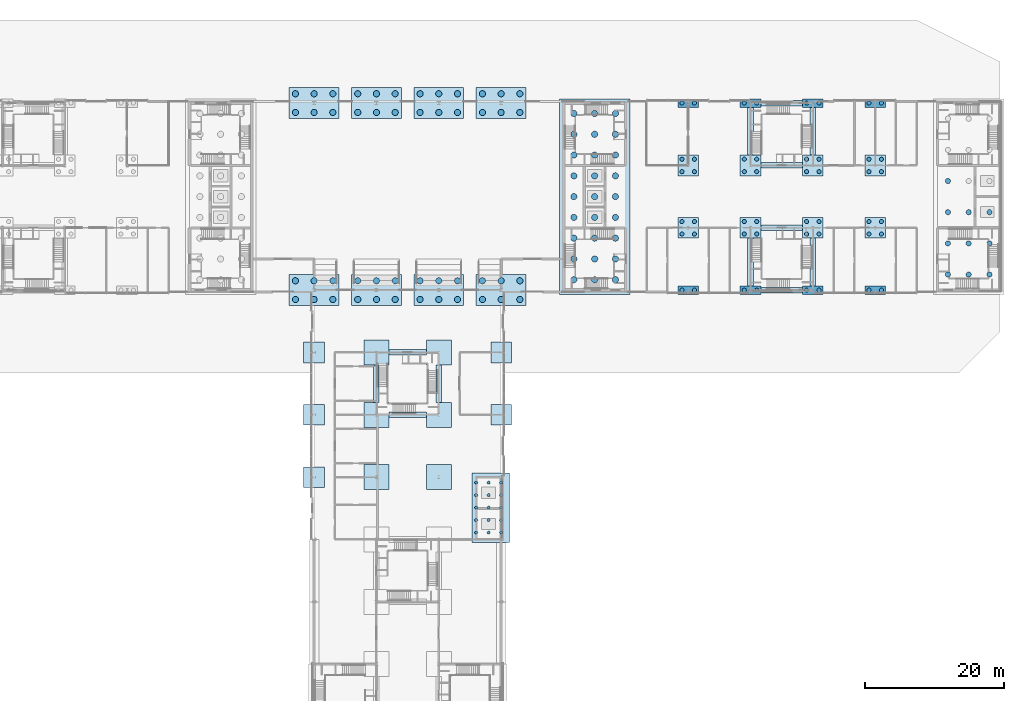
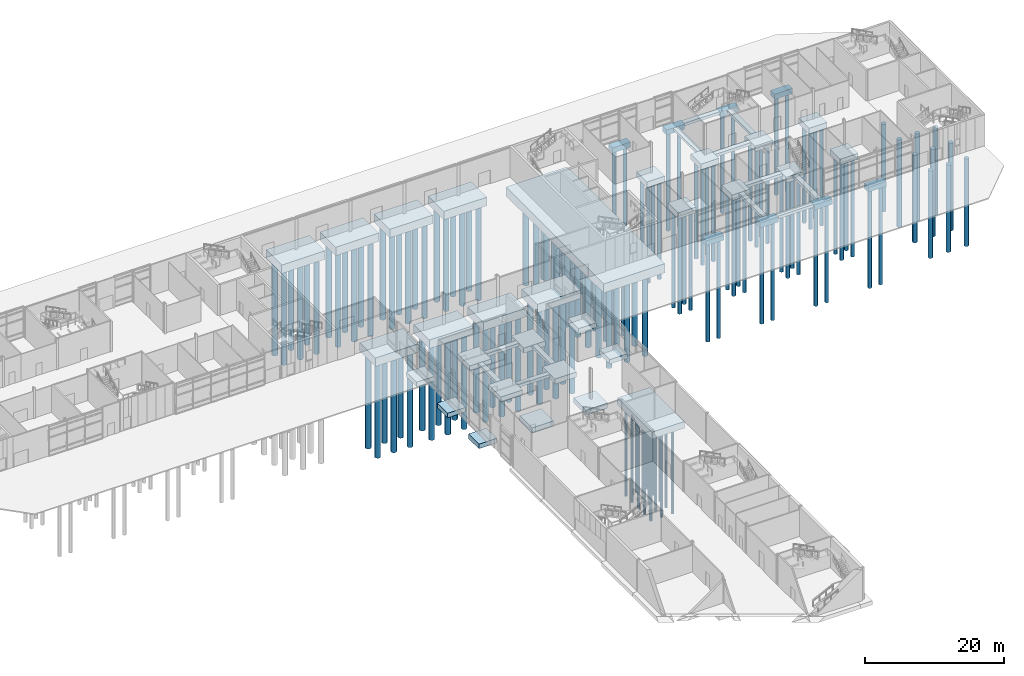
# One storey, part 2 of 45: 148 piles, 49 footings.
"""IFC4 building model written with IfcOpenShell, lengths in metres."""

from ifc_helpers import new_model, si_unit, direction, frame, origin, origin_2d, place, context, subcontext, project, spatial, rectangle, circle, extrude, material, layer, layer_set, material_profile, profile_set, type_object, element, save


model = new_model("IFC4")

# Units and contexts
model_context = context("Model", 3, precision=1e-05, world=origin(), true_north=direction((0.0, 1.0)))
body_context = subcontext(model_context, "Body", "Model", "MODEL_VIEW")
ifc_project = project(units=[si_unit("LENGTHUNIT", "METRE"), si_unit("AREAUNIT", "SQUARE_METRE"), si_unit("VOLUMEUNIT", "CUBIC_METRE"), si_unit("PLANEANGLEUNIT", "RADIAN"), si_unit("MASSUNIT", "GRAM", prefix="KILO")], contexts=[model_context])

# Site, building, storey
site_placement = place(None, origin())
site = spatial("IfcSite", under=ifc_project, at=site_placement, CompositionType="ELEMENT")
building_placement = place(site_placement, origin())
building = spatial("IfcBuilding", under=site, at=building_placement, Name="Azimuth Sports and Learning Centre", CompositionType="ELEMENT")
storey_placement = place(building_placement, origin())
storey = spatial("IfcBuildingStorey", under=building, at=storey_placement, Name="L00", CompositionType="ELEMENT", Elevation=0.0)

# Piles
ifc_material_1 = material(Name="Concrete C35/45", Category="concrete")
ifc_material_profile_1 = material_profile(ifc_material_1, circle(Radius=0.22509765625, at=origin_2d()), Name="BP 450")
ifc_profile_set_1 = profile_set([ifc_material_profile_1], Name="Concrete C35/45")
pile_type_1 = type_object("IfcPileType", Name="Bored pile BP 450", PredefinedType="BORED", material=ifc_profile_set_1)
for number, where, z_axis, x_axis, name in (
    (1, (95.39990234375, 55.0, -3.10009765625), (0.0, 0.0, -1.0), (1.0, 0.0, 0.0), "Pile RAFT-STL 1"),
    (2, (97.199951171875, 55.0, -3.10009765625), (0.0, 0.0, -1.0), (1.0, 0.0, 0.0), "Pile RAFT-STL 2"),
    (3, (99.0, 55.0, -3.10009765625), (0.0, 0.0, -1.0), (1.0, 0.0, 0.0), "Pile RAFT-STL 3"),
    (4, (95.39990234375, 56.800048828125, -3.10009765625), (0.0, 0.0, -1.0), (1.0, 0.0, 0.0), "Pile RAFT-STL 4"),
    (5, (97.199951171875, 56.800048828125, -3.10009765625), (0.0, 0.0, -1.0), (1.0, 0.0, 0.0), "Pile RAFT-STL 5"),
    (6, (99.0, 56.800048828125, -3.10009765625), (0.0, 0.0, -1.0), (1.0, 0.0, 0.0), "Pile RAFT-STL 6"),
    (7, (95.39990234375, 58.60009765625, -3.10009765625), (0.0, 0.0, -1.0), (1.0, 0.0, 0.0), "Pile RAFT-STL 7"),
    (8, (97.199951171875, 58.60009765625, -3.10009765625), (0.0, 0.0, -1.0), (1.0, 0.0, 0.0), "Pile RAFT-STL 8"),
    (9, (99.0, 58.60009765625, -3.10009765625), (0.0, 0.0, -1.0), (1.0, 0.0, 0.0), "Pile RAFT-STL 9"),
    (10, (95.39990234375, 60.39990234375, -3.10009765625), (0.0, 0.0, -1.0), (1.0, 0.0, 0.0), "Pile RAFT-STL 10"),
    (11, (97.199951171875, 60.39990234375, -3.10009765625), (0.0, 0.0, -1.0), (1.0, 0.0, 0.0), "Pile RAFT-STL 11"),
    (12, (99.0, 60.39990234375, -3.10009765625), (0.0, 0.0, -1.0), (1.0, 0.0, 0.0), "Pile RAFT-STL 12"),
    (13, (95.39990234375, 62.199951171875, -3.10009765625), (0.0, 0.0, -1.0), (1.0, 0.0, 0.0), "Pile RAFT-STL 13"),
    (14, (97.199951171875, 62.199951171875, -3.10009765625), (0.0, 0.0, -1.0), (1.0, 0.0, 0.0), "Pile RAFT-STL 14"),
    (15, (99.0, 62.199951171875, -3.10009765625), (0.0, 0.0, -1.0), (1.0, 0.0, 0.0), "Pile RAFT-STL 15"),
):
    element("IfcPile", number, at=place(storey_placement, frame(where, z_axis=z_axis, x_axis=x_axis)), inside=storey, type_object=pile_type_1, Name=name, PredefinedType="BORED", context=body_context, shape_type="SweptSolid", body=[
        extrude(circle(Radius=0.22509765625, at=origin_2d()), origin(), (0.0, 0.0, 1.0), 15.39990234375),
    ])
ifc_material_2 = material(Name="Concrete C35/45", Category="concrete")
ifc_material_profile_2 = material_profile(ifc_material_2, circle(Radius=0.300048828125, at=origin_2d()), Name="BP 600")
ifc_profile_set_2 = profile_set([ifc_material_profile_2], Name="Concrete C35/45")
pile_type_2 = type_object("IfcPileType", Name="Bored pile BP 600", PredefinedType="BORED", material=ifc_profile_set_2)
for number, where, z_axis, x_axis, name in (
    (16, (125.10009765625, 90.0, -1.199951171875), (0.0, 0.0, -1.0), (1.0, 0.0, 0.0), "Pile CAP-15L 1"),
    (17, (126.89990234375, 90.0, -1.199951171875), (0.0, 0.0, -1.0), (1.0, 0.0, 0.0), "Pile CAP-15L 2"),
    (18, (134.10009765625, 90.0, -1.199951171875), (0.0, 0.0, -1.0), (1.0, 0.0, 0.0), "Pile CAP-16L 1"),
    (19, (135.89990234375, 90.0, -1.199951171875), (0.0, 0.0, -1.0), (1.0, 0.0, 0.0), "Pile CAP-16L 2"),
    (20, (143.10009765625, 90.0, -1.199951171875), (0.0, 0.0, -1.0), (1.0, 0.0, 0.0), "Pile CAP-17L 1"),
    (21, (144.89990234375, 90.0, -1.199951171875), (0.0, 0.0, -1.0), (1.0, 0.0, 0.0), "Pile CAP-17L 2"),
    (22, (152.10009765625, 90.0, -1.199951171875), (0.0, 0.0, -1.0), (1.0, 0.0, 0.0), "Pile CAP-18L 1"),
    (23, (153.89990234375, 90.0, -1.199951171875), (0.0, 0.0, -1.0), (1.0, 0.0, 0.0), "Pile CAP-18L 2"),
):
    element("IfcPile", number, at=place(storey_placement, frame(where, z_axis=z_axis, x_axis=x_axis)), inside=storey, type_object=pile_type_2, Name=name, PredefinedType="BORED", context=body_context, shape_type="SweptSolid", body=[
        extrude(circle(Radius=0.300048828125, at=origin_2d()), origin(), (0.0, 0.0, 1.0), 17.300048828125),
    ])
for number, where, z_axis, x_axis, name in (
    (24, (125.10009765625, 98.10009765625, -1.300048828125), (0.0, 0.0, -1.0), (1.0, 0.0, 0.0), "Pile CAP-15M 1"),
    (25, (126.89990234375, 98.10009765625, -1.300048828125), (0.0, 0.0, -1.0), (1.0, 0.0, 0.0), "Pile CAP-15M 2"),
    (26, (125.10009765625, 99.89990234375, -1.300048828125), (0.0, 0.0, -1.0), (1.0, 0.0, 0.0), "Pile CAP-15M 3"),
    (27, (126.89990234375, 99.89990234375, -1.300048828125), (0.0, 0.0, -1.0), (1.0, 0.0, 0.0), "Pile CAP-15M 4"),
    (28, (134.10009765625, 98.10009765625, -1.300048828125), (0.0, 0.0, -1.0), (1.0, 0.0, 0.0), "Pile CAP-16M 1"),
    (29, (135.89990234375, 98.10009765625, -1.300048828125), (0.0, 0.0, -1.0), (1.0, 0.0, 0.0), "Pile CAP-16M 2"),
    (30, (134.10009765625, 99.89990234375, -1.300048828125), (0.0, 0.0, -1.0), (1.0, 0.0, 0.0), "Pile CAP-16M 3"),
    (31, (135.89990234375, 99.89990234375, -1.300048828125), (0.0, 0.0, -1.0), (1.0, 0.0, 0.0), "Pile CAP-16M 4"),
    (32, (143.10009765625, 98.10009765625, -1.300048828125), (0.0, 0.0, -1.0), (1.0, 0.0, 0.0), "Pile CAP-17M 1"),
    (33, (144.89990234375, 98.10009765625, -1.300048828125), (0.0, 0.0, -1.0), (1.0, 0.0, 0.0), "Pile CAP-17M 2"),
    (34, (143.10009765625, 99.89990234375, -1.300048828125), (0.0, 0.0, -1.0), (1.0, 0.0, 0.0), "Pile CAP-17M 3"),
    (35, (144.89990234375, 99.89990234375, -1.300048828125), (0.0, 0.0, -1.0), (1.0, 0.0, 0.0), "Pile CAP-17M 4"),
    (36, (152.10009765625, 98.10009765625, -1.300048828125), (0.0, 0.0, -1.0), (1.0, 0.0, 0.0), "Pile CAP-18M 1"),
    (37, (153.89990234375, 98.10009765625, -1.300048828125), (0.0, 0.0, -1.0), (1.0, 0.0, 0.0), "Pile CAP-18M 2"),
    (38, (152.10009765625, 99.89990234375, -1.300048828125), (0.0, 0.0, -1.0), (1.0, 0.0, 0.0), "Pile CAP-18M 3"),
    (39, (153.89990234375, 99.89990234375, -1.300048828125), (0.0, 0.0, -1.0), (1.0, 0.0, 0.0), "Pile CAP-18M 4"),
    (40, (125.10009765625, 107.10009765625, -1.300048828125), (0.0, 0.0, -1.0), (1.0, 0.0, 0.0), "Pile CAP-15N 1"),
    (41, (126.89990234375, 107.10009765625, -1.300048828125), (0.0, 0.0, -1.0), (1.0, 0.0, 0.0), "Pile CAP-15N 2"),
    (42, (125.10009765625, 108.89990234375, -1.300048828125), (0.0, 0.0, -1.0), (1.0, 0.0, 0.0), "Pile CAP-15N 3"),
    (43, (126.89990234375, 108.89990234375, -1.300048828125), (0.0, 0.0, -1.0), (1.0, 0.0, 0.0), "Pile CAP-15N 4"),
    (44, (134.10009765625, 107.10009765625, -1.300048828125), (0.0, 0.0, -1.0), (1.0, 0.0, 0.0), "Pile CAP-16N 1"),
    (45, (135.89990234375, 107.10009765625, -1.300048828125), (0.0, 0.0, -1.0), (1.0, 0.0, 0.0), "Pile CAP-16N 2"),
    (46, (134.10009765625, 108.89990234375, -1.300048828125), (0.0, 0.0, -1.0), (1.0, 0.0, 0.0), "Pile CAP-16N 3"),
    (47, (135.89990234375, 108.89990234375, -1.300048828125), (0.0, 0.0, -1.0), (1.0, 0.0, 0.0), "Pile CAP-16N 4"),
    (48, (143.10009765625, 107.10009765625, -1.300048828125), (0.0, 0.0, -1.0), (1.0, 0.0, 0.0), "Pile CAP-17N 1"),
    (49, (144.89990234375, 107.10009765625, -1.300048828125), (0.0, 0.0, -1.0), (1.0, 0.0, 0.0), "Pile CAP-17N 2"),
    (50, (143.10009765625, 108.89990234375, -1.300048828125), (0.0, 0.0, -1.0), (1.0, 0.0, 0.0), "Pile CAP-17N 3"),
    (51, (144.89990234375, 108.89990234375, -1.300048828125), (0.0, 0.0, -1.0), (1.0, 0.0, 0.0), "Pile CAP-17N 4"),
    (52, (152.10009765625, 107.10009765625, -1.300048828125), (0.0, 0.0, -1.0), (1.0, 0.0, 0.0), "Pile CAP-18N 1"),
    (53, (153.89990234375, 107.10009765625, -1.300048828125), (0.0, 0.0, -1.0), (1.0, 0.0, 0.0), "Pile CAP-18N 2"),
    (54, (152.10009765625, 108.89990234375, -1.300048828125), (0.0, 0.0, -1.0), (1.0, 0.0, 0.0), "Pile CAP-18N 3"),
    (55, (153.89990234375, 108.89990234375, -1.300048828125), (0.0, 0.0, -1.0), (1.0, 0.0, 0.0), "Pile CAP-18N 4"),
):
    element("IfcPile", number, at=place(storey_placement, frame(where, z_axis=z_axis, x_axis=x_axis)), inside=storey, type_object=pile_type_2, Name=name, PredefinedType="BORED", context=body_context, shape_type="SweptSolid", body=[
        extrude(circle(Radius=0.300048828125, at=origin_2d()), origin(), (0.0, 0.0, 1.0), 17.199951171875),
    ])
for number, where, z_axis, x_axis, name in (
    (56, (125.10009765625, 117.0, -1.199951171875), (0.0, 0.0, -1.0), (1.0, 0.0, 0.0), "Pile CAP-15P 1"),
    (57, (126.89990234375, 117.0, -1.199951171875), (0.0, 0.0, -1.0), (1.0, 0.0, 0.0), "Pile CAP-15P 2"),
    (58, (134.10009765625, 117.0, -1.199951171875), (0.0, 0.0, -1.0), (1.0, 0.0, 0.0), "Pile CAP-16P 1"),
    (59, (135.89990234375, 117.0, -1.199951171875), (0.0, 0.0, -1.0), (1.0, 0.0, 0.0), "Pile CAP-16P 2"),
    (60, (143.10009765625, 117.0, -1.199951171875), (0.0, 0.0, -1.0), (1.0, 0.0, 0.0), "Pile CAP-17P 1"),
    (61, (144.89990234375, 117.0, -1.199951171875), (0.0, 0.0, -1.0), (1.0, 0.0, 0.0), "Pile CAP-17P 2"),
    (62, (152.10009765625, 117.0, -1.199951171875), (0.0, 0.0, -1.0), (1.0, 0.0, 0.0), "Pile CAP-18P 1"),
    (63, (153.89990234375, 117.0, -1.199951171875), (0.0, 0.0, -1.0), (1.0, 0.0, 0.0), "Pile CAP-18P 2"),
):
    element("IfcPile", number, at=place(storey_placement, frame(where, z_axis=z_axis, x_axis=x_axis)), inside=storey, type_object=pile_type_2, Name=name, PredefinedType="BORED", context=body_context, shape_type="SweptSolid", body=[
        extrude(circle(Radius=0.300048828125, at=origin_2d()), origin(), (0.0, 0.0, 1.0), 17.300048828125),
    ])
ifc_material_3 = material(Name="Concrete C35/45", Category="concrete")
ifc_material_profile_3 = material_profile(ifc_material_3, circle(Radius=0.375, at=origin_2d()), Name="BP 750")
ifc_profile_set_3 = profile_set([ifc_material_profile_3], Name="Concrete C35/45")
pile_type_3 = type_object("IfcPileType", Name="Bored pile BP 750", PredefinedType="BORED", material=ifc_profile_set_3)
for number, where, z_axis, x_axis, name in (
    (64, (163.5, 92.25, -3.10009765625), (0.0, 0.0, -1.0), (1.0, 0.0, 0.0), "Pile RAFT-EW 1"),
    (65, (166.5, 92.25, -3.10009765625), (0.0, 0.0, -1.0), (1.0, 0.0, 0.0), "Pile RAFT-EW 2"),
    (66, (169.5, 92.25, -3.10009765625), (0.0, 0.0, -1.0), (1.0, 0.0, 0.0), "Pile RAFT-EW 3"),
    (67, (163.5, 96.75, -3.10009765625), (0.0, 0.0, -1.0), (1.0, 0.0, 0.0), "Pile RAFT-EW 4"),
    (68, (166.5, 96.75, -3.10009765625), (0.0, 0.0, -1.0), (1.0, 0.0, 0.0), "Pile RAFT-EW 5"),
    (69, (169.5, 96.75, -3.10009765625), (0.0, 0.0, -1.0), (1.0, 0.0, 0.0), "Pile RAFT-EW 6"),
    (70, (163.5, 101.25, -3.10009765625), (0.0, 0.0, -1.0), (1.0, 0.0, 0.0), "Pile RAFT-EW 7"),
    (71, (166.5, 101.25, -3.10009765625), (0.0, 0.0, -1.0), (1.0, 0.0, 0.0), "Pile RAFT-EW 8"),
    (72, (169.5, 101.25, -3.10009765625), (0.0, 0.0, -1.0), (1.0, 0.0, 0.0), "Pile RAFT-EW 9"),
    (73, (163.5, 105.75, -3.10009765625), (0.0, 0.0, -1.0), (1.0, 0.0, 0.0), "Pile RAFT-EW 10"),
):
    element("IfcPile", number, at=place(storey_placement, frame(where, z_axis=z_axis, x_axis=x_axis)), inside=storey, type_object=pile_type_3, Name=name, PredefinedType="BORED", context=body_context, shape_type="SweptSolid", body=[
        extrude(circle(Radius=0.375, at=origin_2d()), origin(), (0.0, 0.0, 1.0), 15.39990234375),
    ])
ifc_material_4 = material(Name="Concrete C35/45", Category="concrete")
ifc_material_profile_4 = material_profile(ifc_material_4, circle(Radius=0.449951171875, at=origin_2d()), Name="BP 900")
ifc_profile_set_4 = profile_set([ifc_material_profile_4], Name="Concrete C35/45")
pile_type_4 = type_object("IfcPileType", Name="Bored pile BP 900", PredefinedType="BORED", material=ifc_profile_set_4)
for number, where, z_axis, x_axis, name in (
    (74, (109.5, 91.5, -3.5), (0.0, 0.0, -1.0), (1.0, 0.0, 0.0), "Pile RAFT-E 1"),
    (75, (112.5, 91.5, -3.5), (0.0, 0.0, -1.0), (1.0, 0.0, 0.0), "Pile RAFT-E 2"),
    (76, (115.5, 91.5, -3.5), (0.0, 0.0, -1.0), (1.0, 0.0, 0.0), "Pile RAFT-E 3"),
    (77, (109.5, 94.5, -3.5), (0.0, 0.0, -1.0), (1.0, 0.0, 0.0), "Pile RAFT-E 4"),
    (78, (112.5, 94.5, -3.5), (0.0, 0.0, -1.0), (1.0, 0.0, 0.0), "Pile RAFT-E 5"),
    (79, (115.5, 94.5, -3.5), (0.0, 0.0, -1.0), (1.0, 0.0, 0.0), "Pile RAFT-E 6"),
    (80, (109.5, 97.5, -3.5), (0.0, 0.0, -1.0), (1.0, 0.0, 0.0), "Pile RAFT-E 7"),
    (81, (112.5, 97.5, -3.5), (0.0, 0.0, -1.0), (1.0, 0.0, 0.0), "Pile RAFT-E 8"),
    (82, (115.5, 97.5, -3.5), (0.0, 0.0, -1.0), (1.0, 0.0, 0.0), "Pile RAFT-E 9"),
    (83, (109.5, 100.5, -3.5), (0.0, 0.0, -1.0), (1.0, 0.0, 0.0), "Pile RAFT-E 10"),
    (84, (112.5, 100.5, -3.5), (0.0, 0.0, -1.0), (1.0, 0.0, 0.0), "Pile RAFT-E 11"),
    (85, (115.5, 100.5, -3.5), (0.0, 0.0, -1.0), (1.0, 0.0, 0.0), "Pile RAFT-E 12"),
    (86, (109.5, 103.5, -3.5), (0.0, 0.0, -1.0), (1.0, 0.0, 0.0), "Pile RAFT-E 13"),
    (87, (112.5, 103.5, -3.5), (0.0, 0.0, -1.0), (1.0, 0.0, 0.0), "Pile RAFT-E 14"),
    (88, (115.5, 103.5, -3.5), (0.0, 0.0, -1.0), (1.0, 0.0, 0.0), "Pile RAFT-E 15"),
    (89, (109.5, 106.5, -3.5), (0.0, 0.0, -1.0), (1.0, 0.0, 0.0), "Pile RAFT-E 16"),
    (90, (112.5, 106.5, -3.5), (0.0, 0.0, -1.0), (1.0, 0.0, 0.0), "Pile RAFT-E 17"),
    (91, (115.5, 106.5, -3.5), (0.0, 0.0, -1.0), (1.0, 0.0, 0.0), "Pile RAFT-E 18"),
    (92, (109.5, 109.5, -3.5), (0.0, 0.0, -1.0), (1.0, 0.0, 0.0), "Pile RAFT-E 19"),
    (93, (112.5, 109.5, -3.5), (0.0, 0.0, -1.0), (1.0, 0.0, 0.0), "Pile RAFT-E 20"),
    (94, (115.5, 109.5, -3.5), (0.0, 0.0, -1.0), (1.0, 0.0, 0.0), "Pile RAFT-E 21"),
    (95, (109.5, 112.5, -3.5), (0.0, 0.0, -1.0), (1.0, 0.0, 0.0), "Pile RAFT-E 22"),
    (96, (112.5, 112.5, -3.5), (0.0, 0.0, -1.0), (1.0, 0.0, 0.0), "Pile RAFT-E 23"),
    (97, (115.5, 112.5, -3.5), (0.0, 0.0, -1.0), (1.0, 0.0, 0.0), "Pile RAFT-E 24"),
    (98, (109.5, 115.5, -3.5), (0.0, 0.0, -1.0), (1.0, 0.0, 0.0), "Pile RAFT-E 25"),
    (99, (112.5, 115.5, -3.5), (0.0, 0.0, -1.0), (1.0, 0.0, 0.0), "Pile RAFT-E 26"),
    (100, (115.5, 115.5, -3.5), (0.0, 0.0, -1.0), (1.0, 0.0, 0.0), "Pile RAFT-E 27"),
):
    element("IfcPile", number, at=place(storey_placement, frame(where, z_axis=z_axis, x_axis=x_axis)), inside=storey, type_object=pile_type_4, Name=name, PredefinedType="BORED", context=body_context, shape_type="SweptSolid", body=[
        extrude(circle(Radius=0.449951171875, at=origin_2d()), origin(), (0.0, 0.0, 1.0), 15.0),
    ])
for number, where, z_axis, x_axis, name in (
    (101, (69.300048828125, 88.64990234375, -1.800048828125), (0.0, 0.0, -1.0), (1.0, 0.0, 0.0), "Pile CAP-9L 1"),
    (102, (72.0, 88.64990234375, -1.800048828125), (0.0, 0.0, -1.0), (1.0, 0.0, 0.0), "Pile CAP-9L 2"),
    (103, (74.699951171875, 88.64990234375, -1.800048828125), (0.0, 0.0, -1.0), (1.0, 0.0, 0.0), "Pile CAP-9L 3"),
    (104, (69.300048828125, 91.35009765625, -1.800048828125), (0.0, 0.0, -1.0), (1.0, 0.0, 0.0), "Pile CAP-9L 4"),
    (105, (72.0, 91.35009765625, -1.800048828125), (0.0, 0.0, -1.0), (1.0, 0.0, 0.0), "Pile CAP-9L 5"),
    (106, (74.699951171875, 91.35009765625, -1.800048828125), (0.0, 0.0, -1.0), (1.0, 0.0, 0.0), "Pile CAP-9L 6"),
    (107, (78.300048828125, 88.64990234375, -1.800048828125), (0.0, 0.0, -1.0), (1.0, 0.0, 0.0), "Pile CAP-10L 1"),
    (108, (81.0, 88.64990234375, -1.800048828125), (0.0, 0.0, -1.0), (1.0, 0.0, 0.0), "Pile CAP-10L 2"),
    (109, (83.699951171875, 88.64990234375, -1.800048828125), (0.0, 0.0, -1.0), (1.0, 0.0, 0.0), "Pile CAP-10L 3"),
    (110, (78.300048828125, 91.35009765625, -1.800048828125), (0.0, 0.0, -1.0), (1.0, 0.0, 0.0), "Pile CAP-10L 4"),
    (111, (81.0, 91.35009765625, -1.800048828125), (0.0, 0.0, -1.0), (1.0, 0.0, 0.0), "Pile CAP-10L 5"),
    (112, (83.699951171875, 91.35009765625, -1.800048828125), (0.0, 0.0, -1.0), (1.0, 0.0, 0.0), "Pile CAP-10L 6"),
    (113, (87.300048828125, 88.64990234375, -1.800048828125), (0.0, 0.0, -1.0), (1.0, 0.0, 0.0), "Pile CAP-11L 1"),
    (114, (90.0, 88.64990234375, -1.800048828125), (0.0, 0.0, -1.0), (1.0, 0.0, 0.0), "Pile CAP-11L 2"),
    (115, (92.699951171875, 88.64990234375, -1.800048828125), (0.0, 0.0, -1.0), (1.0, 0.0, 0.0), "Pile CAP-11L 3"),
    (116, (87.300048828125, 91.35009765625, -1.800048828125), (0.0, 0.0, -1.0), (1.0, 0.0, 0.0), "Pile CAP-11L 4"),
    (117, (90.0, 91.35009765625, -1.800048828125), (0.0, 0.0, -1.0), (1.0, 0.0, 0.0), "Pile CAP-11L 5"),
    (118, (92.699951171875, 91.35009765625, -1.800048828125), (0.0, 0.0, -1.0), (1.0, 0.0, 0.0), "Pile CAP-11L 6"),
    (119, (96.300048828125, 88.64990234375, -1.800048828125), (0.0, 0.0, -1.0), (1.0, 0.0, 0.0), "Pile CAP-12L 1"),
    (120, (99.0, 88.64990234375, -1.800048828125), (0.0, 0.0, -1.0), (1.0, 0.0, 0.0), "Pile CAP-12L 2"),
    (121, (101.699951171875, 88.64990234375, -1.800048828125), (0.0, 0.0, -1.0), (1.0, 0.0, 0.0), "Pile CAP-12L 3"),
    (122, (96.300048828125, 91.35009765625, -1.800048828125), (0.0, 0.0, -1.0), (1.0, 0.0, 0.0), "Pile CAP-12L 4"),
    (123, (99.0, 91.35009765625, -1.800048828125), (0.0, 0.0, -1.0), (1.0, 0.0, 0.0), "Pile CAP-12L 5"),
    (124, (101.699951171875, 91.35009765625, -1.800048828125), (0.0, 0.0, -1.0), (1.0, 0.0, 0.0), "Pile CAP-12L 6"),
    (125, (69.300048828125, 115.64990234375, -1.800048828125), (0.0, 0.0, -1.0), (1.0, 0.0, 0.0), "Pile CAP-9P 1"),
    (126, (72.0, 115.64990234375, -1.800048828125), (0.0, 0.0, -1.0), (1.0, 0.0, 0.0), "Pile CAP-9P 2"),
    (127, (74.699951171875, 115.64990234375, -1.800048828125), (0.0, 0.0, -1.0), (1.0, 0.0, 0.0), "Pile CAP-9P 3"),
    (128, (69.300048828125, 118.35009765625, -1.800048828125), (0.0, 0.0, -1.0), (1.0, 0.0, 0.0), "Pile CAP-9P 4"),
    (129, (72.0, 118.35009765625, -1.800048828125), (0.0, 0.0, -1.0), (1.0, 0.0, 0.0), "Pile CAP-9P 5"),
    (130, (74.699951171875, 118.35009765625, -1.800048828125), (0.0, 0.0, -1.0), (1.0, 0.0, 0.0), "Pile CAP-9P 6"),
    (131, (78.300048828125, 115.64990234375, -1.800048828125), (0.0, 0.0, -1.0), (1.0, 0.0, 0.0), "Pile CAP-10P 1"),
    (132, (81.0, 115.64990234375, -1.800048828125), (0.0, 0.0, -1.0), (1.0, 0.0, 0.0), "Pile CAP-10P 2"),
    (133, (83.699951171875, 115.64990234375, -1.800048828125), (0.0, 0.0, -1.0), (1.0, 0.0, 0.0), "Pile CAP-10P 3"),
    (134, (78.300048828125, 118.35009765625, -1.800048828125), (0.0, 0.0, -1.0), (1.0, 0.0, 0.0), "Pile CAP-10P 4"),
    (135, (81.0, 118.35009765625, -1.800048828125), (0.0, 0.0, -1.0), (1.0, 0.0, 0.0), "Pile CAP-10P 5"),
    (136, (83.699951171875, 118.35009765625, -1.800048828125), (0.0, 0.0, -1.0), (1.0, 0.0, 0.0), "Pile CAP-10P 6"),
    (137, (87.300048828125, 115.64990234375, -1.800048828125), (0.0, 0.0, -1.0), (1.0, 0.0, 0.0), "Pile CAP-11P 1"),
    (138, (90.0, 115.64990234375, -1.800048828125), (0.0, 0.0, -1.0), (1.0, 0.0, 0.0), "Pile CAP-11P 2"),
    (139, (92.699951171875, 115.64990234375, -1.800048828125), (0.0, 0.0, -1.0), (1.0, 0.0, 0.0), "Pile CAP-11P 3"),
    (140, (87.300048828125, 118.35009765625, -1.800048828125), (0.0, 0.0, -1.0), (1.0, 0.0, 0.0), "Pile CAP-11P 4"),
    (141, (90.0, 118.35009765625, -1.800048828125), (0.0, 0.0, -1.0), (1.0, 0.0, 0.0), "Pile CAP-11P 5"),
    (142, (92.699951171875, 118.35009765625, -1.800048828125), (0.0, 0.0, -1.0), (1.0, 0.0, 0.0), "Pile CAP-11P 6"),
    (143, (96.300048828125, 115.64990234375, -1.800048828125), (0.0, 0.0, -1.0), (1.0, 0.0, 0.0), "Pile CAP-12P 1"),
    (144, (99.0, 115.64990234375, -1.800048828125), (0.0, 0.0, -1.0), (1.0, 0.0, 0.0), "Pile CAP-12P 2"),
    (145, (101.699951171875, 115.64990234375, -1.800048828125), (0.0, 0.0, -1.0), (1.0, 0.0, 0.0), "Pile CAP-12P 3"),
    (146, (96.300048828125, 118.35009765625, -1.800048828125), (0.0, 0.0, -1.0), (1.0, 0.0, 0.0), "Pile CAP-12P 4"),
    (147, (99.0, 118.35009765625, -1.800048828125), (0.0, 0.0, -1.0), (1.0, 0.0, 0.0), "Pile CAP-12P 5"),
    (148, (101.699951171875, 118.35009765625, -1.800048828125), (0.0, 0.0, -1.0), (1.0, 0.0, 0.0), "Pile CAP-12P 6"),
):
    element("IfcPile", number, at=place(storey_placement, frame(where, z_axis=z_axis, x_axis=x_axis)), inside=storey, type_object=pile_type_4, Name=name, PredefinedType="BORED", context=body_context, shape_type="SweptSolid", body=[
        extrude(circle(Radius=0.449951171875, at=origin_2d()), origin(), (0.0, 0.0, 1.0), 16.699951171875),
    ])

# Footings
ifc_material_5 = material(Name="Concrete C35/45", Category="concrete")
ifc_layer_1 = layer(ifc_material_5, 1.60009765625)
ifc_layer_set_1 = layer_set([ifc_layer_1], Name="Concrete C35/45")
footing_type_1 = type_object("IfcFootingType", Name="Core raft 10200x28200x1600", PredefinedType="PILE_CAP", material=ifc_layer_set_1)
footing_1_placement = place(storey_placement, frame((112.5, 103.5, -3.5), z_axis=(0.0, 0.0, 1.0), x_axis=(1.0, 0.0, 0.0)))
element("IfcFooting", 149, at=footing_1_placement, inside=storey, type_object=footing_type_1, Name="Raft core E", PredefinedType="PILE_CAP", context=body_context, shape_type="SweptSolid", body=[
    extrude(rectangle(XDim=10.199951171875, YDim=28.199951171875, at=origin_2d()), origin(), (0.0, 0.0, 1.0), 1.60009765625),
])
ifc_material_6 = material(Name="Concrete C35/45", Category="concrete")
ifc_layer_2 = layer(ifc_material_6, 1.199951171875)
ifc_layer_set_2 = layer_set([ifc_layer_2], Name="Concrete C35/45")
footing_type_2 = type_object("IfcFootingType", Name="Lift pit raft 5400x10000x1200", PredefinedType="PAD_FOOTING", material=ifc_layer_set_2)
footing_2_placement = place(storey_placement, frame((97.5, 58.60009765625, -3.10009765625), z_axis=(0.0, 0.0, 1.0), x_axis=(1.0, 0.0, 0.0)))
element("IfcFooting", 150, at=footing_2_placement, inside=storey, type_object=footing_type_2, Name="Raft stem lift zone", PredefinedType="PAD_FOOTING", context=body_context, shape_type="SweptSolid", body=[
    extrude(rectangle(XDim=5.39990234375, YDim=10.0, at=origin_2d()), origin(), (0.0, 0.0, 1.0), 1.199951171875),
])
ifc_material_7 = material(Name="Concrete C35/45", Category="concrete")
ifc_layer_3 = layer(ifc_material_7, 0.800048828125)
ifc_layer_set_3 = layer_set([ifc_layer_3], Name="Concrete C35/45")
footing_type_3 = type_object("IfcFootingType", Name="Pad footing 3000x3000x800", PredefinedType="PAD_FOOTING", material=ifc_layer_set_3)
for number, where, z_axis, x_axis, name in (
    (151, (72.0, 63.0, -1.10009765625), (0.0, 0.0, 1.0), (1.0, 0.0, 0.0), "Pad 9H"),
    (152, (72.0, 72.0, -1.10009765625), (0.0, 0.0, 1.0), (1.0, 0.0, 0.0), "Pad 9J"),
    (153, (99.0, 72.0, -1.10009765625), (0.0, 0.0, 1.0), (1.0, 0.0, 0.0), "Pad 12J"),
    (154, (72.0, 81.0, -1.10009765625), (0.0, 0.0, 1.0), (1.0, 0.0, 0.0), "Pad 9K"),
    (155, (99.0, 81.0, -1.10009765625), (0.0, 0.0, 1.0), (1.0, 0.0, 0.0), "Pad 12K"),
):
    element("IfcFooting", number, at=place(storey_placement, frame(where, z_axis=z_axis, x_axis=x_axis)), inside=storey, type_object=footing_type_3, Name=name, PredefinedType="PAD_FOOTING", context=body_context, shape_type="SweptSolid", body=[
        extrude(rectangle(XDim=3.0, YDim=3.0, at=origin_2d()), origin(), (0.0, 0.0, 1.0), 0.800048828125),
    ])
ifc_material_8 = material(Name="Concrete C35/45", Category="concrete")
ifc_layer_4 = layer(ifc_material_8, 0.89990234375)
ifc_layer_set_4 = layer_set([ifc_layer_4], Name="Concrete C35/45")
footing_type_4 = type_object("IfcFootingType", Name="Pad footing 3600x3600x900", PredefinedType="PAD_FOOTING", material=ifc_layer_set_4)
for number, where, z_axis, x_axis, name in (
    (156, (81.0, 63.0, -1.199951171875), (0.0, 0.0, 1.0), (1.0, 0.0, 0.0), "Pad 10H"),
    (157, (90.0, 63.0, -1.199951171875), (0.0, 0.0, 1.0), (1.0, 0.0, 0.0), "Pad 11H"),
    (158, (81.0, 72.0, -1.199951171875), (0.0, 0.0, 1.0), (1.0, 0.0, 0.0), "Pad 10J"),
    (159, (90.0, 72.0, -1.199951171875), (0.0, 0.0, 1.0), (1.0, 0.0, 0.0), "Pad 11J"),
    (160, (81.0, 81.0, -1.199951171875), (0.0, 0.0, 1.0), (1.0, 0.0, 0.0), "Pad 10K"),
    (161, (90.0, 81.0, -1.199951171875), (0.0, 0.0, 1.0), (1.0, 0.0, 0.0), "Pad 11K"),
):
    element("IfcFooting", number, at=place(storey_placement, frame(where, z_axis=z_axis, x_axis=x_axis)), inside=storey, type_object=footing_type_4, Name=name, PredefinedType="PAD_FOOTING", context=body_context, shape_type="SweptSolid", body=[
        extrude(rectangle(XDim=3.60009765625, YDim=3.60009765625, at=origin_2d()), origin(), (0.0, 0.0, 1.0), 0.89990234375),
    ])
ifc_material_9 = material(Name="Concrete C35/45", Category="concrete")
ifc_layer_5 = layer(ifc_material_9, 0.89990234375)
ifc_layer_set_5 = layer_set([ifc_layer_5], Name="Concrete C35/45")
footing_type_5 = type_object("IfcFootingType", Name="Pile cap 3000x1200x900", PredefinedType="PILE_CAP", material=ifc_layer_set_5)
for number, where, z_axis, x_axis, name in (
    (162, (126.0, 90.0, -1.199951171875), (0.0, 0.0, 1.0), (1.0, 0.0, 0.0), "Cap 15L"),
    (163, (135.0, 90.0, -1.199951171875), (0.0, 0.0, 1.0), (1.0, 0.0, 0.0), "Cap 16L"),
    (164, (144.0, 90.0, -1.199951171875), (0.0, 0.0, 1.0), (1.0, 0.0, 0.0), "Cap 17L"),
    (165, (153.0, 90.0, -1.199951171875), (0.0, 0.0, 1.0), (1.0, 0.0, 0.0), "Cap 18L"),
    (166, (126.0, 117.0, -1.199951171875), (0.0, 0.0, 1.0), (1.0, 0.0, 0.0), "Cap 15P"),
    (167, (135.0, 117.0, -1.199951171875), (0.0, 0.0, 1.0), (1.0, 0.0, 0.0), "Cap 16P"),
    (168, (144.0, 117.0, -1.199951171875), (0.0, 0.0, 1.0), (1.0, 0.0, 0.0), "Cap 17P"),
    (169, (153.0, 117.0, -1.199951171875), (0.0, 0.0, 1.0), (1.0, 0.0, 0.0), "Cap 18P"),
):
    element("IfcFooting", number, at=place(storey_placement, frame(where, z_axis=z_axis, x_axis=x_axis)), inside=storey, type_object=footing_type_5, Name=name, PredefinedType="PILE_CAP", context=body_context, shape_type="SweptSolid", body=[
        extrude(rectangle(XDim=3.0, YDim=1.199951171875, at=origin_2d()), origin(), (0.0, 0.0, 1.0), 0.89990234375),
    ])
ifc_material_10 = material(Name="Concrete C35/45", Category="concrete")
ifc_layer_6 = layer(ifc_material_10, 1.0)
ifc_layer_set_6 = layer_set([ifc_layer_6], Name="Concrete C35/45")
footing_type_6 = type_object("IfcFootingType", Name="Pile cap 3000x3000x1000", PredefinedType="PILE_CAP", material=ifc_layer_set_6)
for number, where, z_axis, x_axis, name in (
    (170, (126.0, 99.0, -1.300048828125), (0.0, 0.0, 1.0), (1.0, 0.0, 0.0), "Cap 15M"),
    (171, (135.0, 99.0, -1.300048828125), (0.0, 0.0, 1.0), (1.0, 0.0, 0.0), "Cap 16M"),
    (172, (144.0, 99.0, -1.300048828125), (0.0, 0.0, 1.0), (1.0, 0.0, 0.0), "Cap 17M"),
    (173, (153.0, 99.0, -1.300048828125), (0.0, 0.0, 1.0), (1.0, 0.0, 0.0), "Cap 18M"),
    (174, (126.0, 108.0, -1.300048828125), (0.0, 0.0, 1.0), (1.0, 0.0, 0.0), "Cap 15N"),
    (175, (135.0, 108.0, -1.300048828125), (0.0, 0.0, 1.0), (1.0, 0.0, 0.0), "Cap 16N"),
    (176, (144.0, 108.0, -1.300048828125), (0.0, 0.0, 1.0), (1.0, 0.0, 0.0), "Cap 17N"),
    (177, (153.0, 108.0, -1.300048828125), (0.0, 0.0, 1.0), (1.0, 0.0, 0.0), "Cap 18N"),
):
    element("IfcFooting", number, at=place(storey_placement, frame(where, z_axis=z_axis, x_axis=x_axis)), inside=storey, type_object=footing_type_6, Name=name, PredefinedType="PILE_CAP", context=body_context, shape_type="SweptSolid", body=[
        extrude(rectangle(XDim=3.0, YDim=3.0, at=origin_2d()), origin(), (0.0, 0.0, 1.0), 1.0),
    ])
ifc_material_11 = material(Name="Concrete C35/45", Category="concrete")
ifc_layer_7 = layer(ifc_material_11, 1.5)
ifc_layer_set_7 = layer_set([ifc_layer_7], Name="Concrete C35/45")
footing_type_7 = type_object("IfcFootingType", Name="Pile cap 7200x4500x1500", PredefinedType="PILE_CAP", material=ifc_layer_set_7)
for number, where, z_axis, x_axis, name in (
    (178, (72.0, 90.0, -1.800048828125), (0.0, 0.0, 1.0), (1.0, 0.0, 0.0), "Cap 9L"),
    (179, (81.0, 90.0, -1.800048828125), (0.0, 0.0, 1.0), (1.0, 0.0, 0.0), "Cap 10L"),
    (180, (90.0, 90.0, -1.800048828125), (0.0, 0.0, 1.0), (1.0, 0.0, 0.0), "Cap 11L"),
    (181, (99.0, 90.0, -1.800048828125), (0.0, 0.0, 1.0), (1.0, 0.0, 0.0), "Cap 12L"),
    (182, (72.0, 117.0, -1.800048828125), (0.0, 0.0, 1.0), (1.0, 0.0, 0.0), "Cap 9P"),
    (183, (81.0, 117.0, -1.800048828125), (0.0, 0.0, 1.0), (1.0, 0.0, 0.0), "Cap 10P"),
    (184, (90.0, 117.0, -1.800048828125), (0.0, 0.0, 1.0), (1.0, 0.0, 0.0), "Cap 11P"),
    (185, (99.0, 117.0, -1.800048828125), (0.0, 0.0, 1.0), (1.0, 0.0, 0.0), "Cap 12P"),
):
    element("IfcFooting", number, at=place(storey_placement, frame(where, z_axis=z_axis, x_axis=x_axis)), inside=storey, type_object=footing_type_7, Name=name, PredefinedType="PILE_CAP", context=body_context, shape_type="SweptSolid", body=[
        extrude(rectangle(XDim=7.199951171875, YDim=4.5, at=origin_2d()), origin(), (0.0, 0.0, 1.0), 1.5),
    ])
ifc_material_12 = material(Name="Concrete C35/45", Category="concrete")
ifc_layer_8 = layer(ifc_material_12, 0.5)
ifc_layer_set_8 = layer_set([ifc_layer_8], Name="Concrete C35/45")
footing_type_8 = type_object("IfcFootingType", Name="Strip footing 800x500", PredefinedType="STRIP_FOOTING", material=ifc_layer_set_8)
for number, where, z_axis, x_axis, name in (
    (186, (139.5, 90.0, -0.800048828125), (0.0, 0.0, 1.0), (1.0, 0.0, 0.0), "Strip footing cell EM1 S1"),
    (187, (139.5, 99.0, -0.800048828125), (0.0, 0.0, 1.0), (1.0, 0.0, 0.0), "Strip footing cell EM1 N1"),
):
    element("IfcFooting", number, at=place(storey_placement, frame(where, z_axis=z_axis, x_axis=x_axis)), inside=storey, type_object=footing_type_8, Name=name, PredefinedType="STRIP_FOOTING", context=body_context, shape_type="SweptSolid", body=[
        extrude(rectangle(XDim=6.0, YDim=0.800048828125, at=origin_2d()), origin(), (0.0, 0.0, 1.0), 0.5),
    ])
for number, where, z_axis, x_axis, name in (
    (188, (135.0, 94.050048828125, -0.800048828125), (0.0, 0.0, 1.0), (1.0, 0.0, 0.0), "Strip footing cell EM1 W1"),
    (189, (144.0, 94.050048828125, -0.800048828125), (0.0, 0.0, 1.0), (1.0, 0.0, 0.0), "Strip footing cell EM1 E1"),
):
    element("IfcFooting", number, at=place(storey_placement, frame(where, z_axis=z_axis, x_axis=x_axis)), inside=storey, type_object=footing_type_8, Name=name, PredefinedType="STRIP_FOOTING", context=body_context, shape_type="SweptSolid", body=[
        extrude(rectangle(XDim=0.800048828125, YDim=6.89990234375, at=origin_2d()), origin(), (0.0, 0.0, 1.0), 0.5),
    ])
for number, where, z_axis, x_axis, name in (
    (190, (139.5, 108.0, -0.800048828125), (0.0, 0.0, 1.0), (1.0, 0.0, 0.0), "Strip footing cell EM2 S1"),
    (191, (139.5, 117.0, -0.800048828125), (0.0, 0.0, 1.0), (1.0, 0.0, 0.0), "Strip footing cell EM2 N1"),
):
    element("IfcFooting", number, at=place(storey_placement, frame(where, z_axis=z_axis, x_axis=x_axis)), inside=storey, type_object=footing_type_8, Name=name, PredefinedType="STRIP_FOOTING", context=body_context, shape_type="SweptSolid", body=[
        extrude(rectangle(XDim=6.0, YDim=0.800048828125, at=origin_2d()), origin(), (0.0, 0.0, 1.0), 0.5),
    ])
for number, where, z_axis, x_axis, name in (
    (192, (135.0, 112.949951171875, -0.800048828125), (0.0, 0.0, 1.0), (1.0, 0.0, 0.0), "Strip footing cell EM2 W1"),
    (193, (144.0, 112.949951171875, -0.800048828125), (0.0, 0.0, 1.0), (1.0, 0.0, 0.0), "Strip footing cell EM2 E1"),
):
    element("IfcFooting", number, at=place(storey_placement, frame(where, z_axis=z_axis, x_axis=x_axis)), inside=storey, type_object=footing_type_8, Name=name, PredefinedType="STRIP_FOOTING", context=body_context, shape_type="SweptSolid", body=[
        extrude(rectangle(XDim=0.800048828125, YDim=6.89990234375, at=origin_2d()), origin(), (0.0, 0.0, 1.0), 0.5),
    ])
for number, where, z_axis, x_axis, name in (
    (194, (85.5, 72.0, -0.800048828125), (0.0, 0.0, 1.0), (1.0, 0.0, 0.0), "Strip footing cell STD S1"),
    (195, (85.5, 81.0, -0.800048828125), (0.0, 0.0, 1.0), (1.0, 0.0, 0.0), "Strip footing cell STD N1"),
):
    element("IfcFooting", number, at=place(storey_placement, frame(where, z_axis=z_axis, x_axis=x_axis)), inside=storey, type_object=footing_type_8, Name=name, PredefinedType="STRIP_FOOTING", context=body_context, shape_type="SweptSolid", body=[
        extrude(rectangle(XDim=5.39990234375, YDim=0.800048828125, at=origin_2d()), origin(), (0.0, 0.0, 1.0), 0.5),
    ])
for number, where, z_axis, x_axis, name in (
    (196, (81.0, 76.5, -0.800048828125), (0.0, 0.0, 1.0), (1.0, 0.0, 0.0), "Strip footing cell STD W1"),
    (197, (90.0, 76.5, -0.800048828125), (0.0, 0.0, 1.0), (1.0, 0.0, 0.0), "Strip footing cell STD E1"),
):
    element("IfcFooting", number, at=place(storey_placement, frame(where, z_axis=z_axis, x_axis=x_axis)), inside=storey, type_object=footing_type_8, Name=name, PredefinedType="STRIP_FOOTING", context=body_context, shape_type="SweptSolid", body=[
        extrude(rectangle(XDim=0.800048828125, YDim=5.39990234375, at=origin_2d()), origin(), (0.0, 0.0, 1.0), 0.5),
    ])

save(model, "model.ifc")
